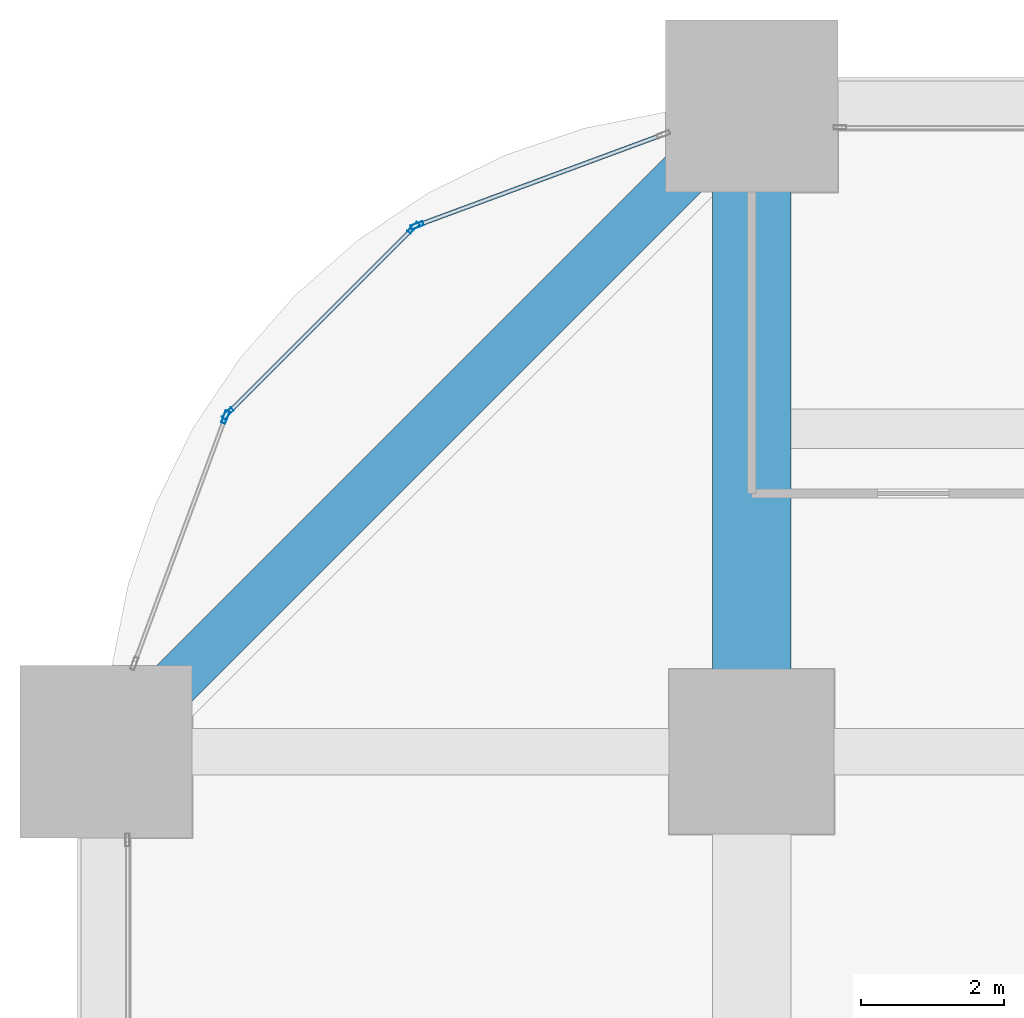
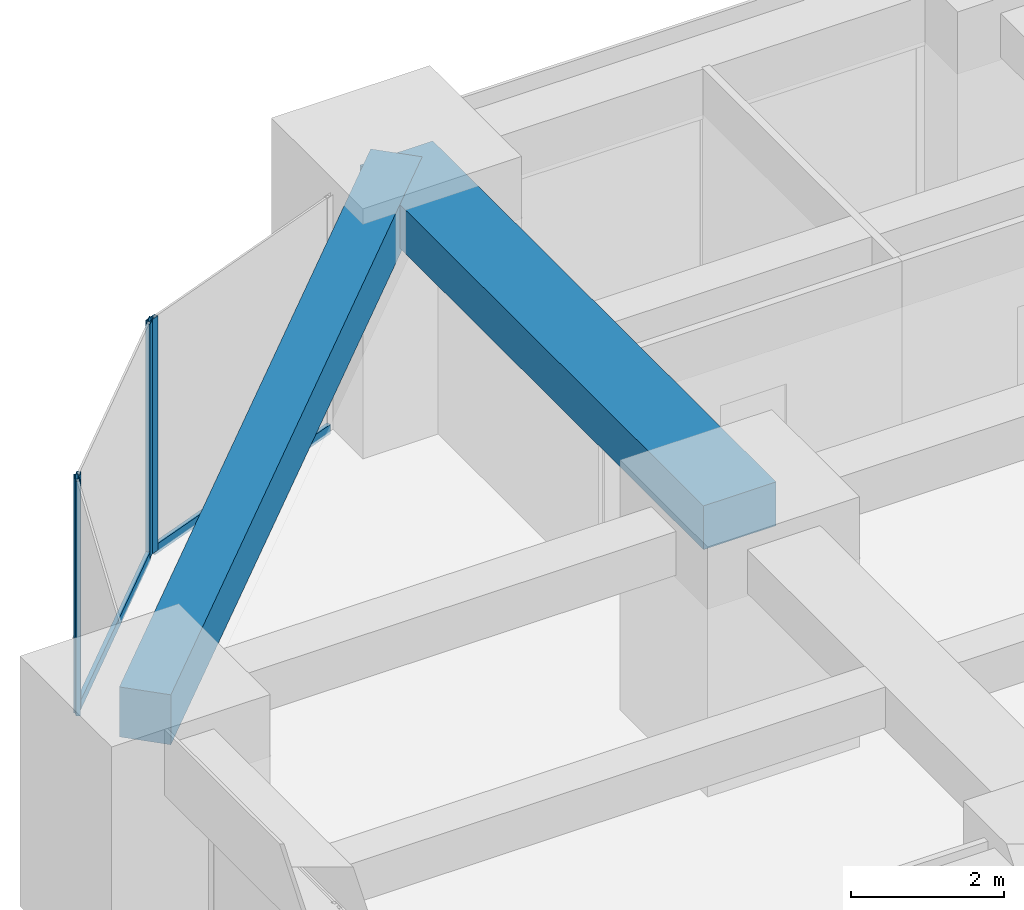
# One storey, part 27 of 45: 6 members, 2 beams, 3 elements without a shape of their own.
"""IFC4 building model written with IfcOpenShell, lengths in metres."""

from ifc_helpers import new_model, si_unit, direction, frame, origin, origin_2d, place, context, subcontext, project, spatial, rectangle, hollow_rectangle, extrude, material, material_profile, profile_set, type_object, element, aggregate, save


model = new_model("IFC4")

# Units and contexts
model_context = context("Model", 3, precision=1e-05, world=origin(), true_north=direction((0.0, 1.0)))
body_context = subcontext(model_context, "Body", "Model", "MODEL_VIEW")
ifc_project = project(units=[si_unit("LENGTHUNIT", "METRE"), si_unit("AREAUNIT", "SQUARE_METRE"), si_unit("VOLUMEUNIT", "CUBIC_METRE"), si_unit("PLANEANGLEUNIT", "RADIAN"), si_unit("MASSUNIT", "GRAM", prefix="KILO")], contexts=[model_context])

# Site, building, storey
site_placement = place(None, origin())
site = spatial("IfcSite", under=ifc_project, at=site_placement, CompositionType="ELEMENT")
building_placement = place(site_placement, origin())
building = spatial("IfcBuilding", under=site, at=building_placement, Name="Zorevar Civic Tower", CompositionType="ELEMENT")
storey_placement = place(building_placement, frame((0.0, 0.0, 39.800048828125)))
storey = spatial("IfcBuildingStorey", under=building, at=storey_placement, Name="L09", CompositionType="ELEMENT", Elevation=39.800048828125)

# Beam
ifc_material_1 = material(Name="Concrete C50/60", Category="concrete")
ifc_material_profile_1 = material_profile(ifc_material_1, rectangle(XDim=1.10009765625, YDim=0.699951171875, at=origin_2d()), Name="RC 1100x700")
ifc_profile_set_1 = profile_set([ifc_material_profile_1], Name="Concrete C50/60")
beam_type_1 = type_object("IfcBeamType", Name="Beam RC 1100x700", PredefinedType="BEAM", material=ifc_profile_set_1)
beam_1_placement = place(storey_placement, frame((9.0, 45.0, 3.39990234375), z_axis=(0.0, 1.0, 0.0), x_axis=(-1.0, 0.0, 0.0)))
element("IfcBeam", 1, at=beam_1_placement, inside=storey, type_object=beam_type_1, Name="Girder L10", PredefinedType="BEAM", context=body_context, shape_type="SweptSolid", body=[
    extrude(rectangle(XDim=1.10009765625, YDim=0.699951171875, at=origin_2d()), origin(), (0.0, 0.0, 1.0), 9.0),
])

# Curtain wall, member
ifc_material_2 = material(Name="Dark grey solar-control glass in black aluminium frame", Category="aluminium")
curtain_wall_type = type_object("IfcCurtainWallType", Name="Curtain wall CW2 low zone", PredefinedType="NOTDEFINED", material=ifc_material_2)
curtain_wall_1_placement = place(storey_placement, origin())
curtain_wall_1 = element("IfcCurtainWall", 2, at=curtain_wall_1_placement, inside=storey, type_object=curtain_wall_type, Name="CW2 L09", PredefinedType="NOTDEFINED")
ifc_material_3 = material(Name="Aluminium, black anodised", Category="aluminium")
ifc_material_profile_2 = material_profile(ifc_material_3, hollow_rectangle(XDim=0.06005859375, YDim=0.179931640625, WallThickness=0.00390625, at=origin_2d()), Name="AL 180x60x4")
ifc_profile_set_2 = profile_set([ifc_material_profile_2], Name="Aluminium, black anodised")
member_type_1 = type_object("IfcMemberType", Name="CW2 mullion AL 180x60x4", PredefinedType="MULLION", material=ifc_profile_set_2)
member_1_placement = place(storey_placement, frame((4.33544921875, 52.336181640625, 0.0), z_axis=(0.0, 0.0, 1.0), x_axis=(0.346704012033, -0.937974588163, 0.0)))
member_1 = element("IfcMember", 3, at=member_1_placement, type_object=member_type_1, Name="CW2 mullion 2", PredefinedType="MULLION", context=body_context, shape_type="SweptSolid", body=[
    extrude(hollow_rectangle(XDim=0.06005859375, YDim=0.179931640625, WallThickness=0.00390625, at=origin_2d()), origin(), (0.0, 0.0, 1.0), 3.75),
])

# Curtain wall, members
curtain_wall_2_placement = place(storey_placement, origin())
curtain_wall_2 = element("IfcCurtainWall", 4, at=curtain_wall_2_placement, inside=storey, type_object=curtain_wall_type, Name="CW2 L09", PredefinedType="NOTDEFINED")
member_2_placement = place(storey_placement, frame((4.2861328125, 52.3046875, 0.0), z_axis=(0.0, 0.0, 1.0), x_axis=(0.707106781187, -0.707106781187, 0.0)))
member_2 = element("IfcMember", 5, at=member_2_placement, type_object=member_type_1, Name="CW2 mullion 1", PredefinedType="MULLION", context=body_context, shape_type="SweptSolid", body=[
    extrude(hollow_rectangle(XDim=0.06005859375, YDim=0.179931640625, WallThickness=0.00390625, at=origin_2d()), origin(), (0.0, 0.0, 1.0), 3.75),
])
member_3_placement = place(storey_placement, frame((1.6953125, 49.7138671875, 0.0), z_axis=(0.0, 0.0, 1.0), x_axis=(0.707106781187, -0.707106781187, 0.0)))
member_3 = element("IfcMember", 6, at=member_3_placement, type_object=member_type_1, Name="CW2 mullion 2", PredefinedType="MULLION", context=body_context, shape_type="SweptSolid", body=[
    extrude(hollow_rectangle(XDim=0.06005859375, YDim=0.179931640625, WallThickness=0.00390625, at=origin_2d()), origin(), (0.0, 0.0, 1.0), 3.75),
])

# Curtain wall, member
curtain_wall_3_placement = place(storey_placement, origin())
curtain_wall_3 = element("IfcCurtainWall", 7, at=curtain_wall_3_placement, inside=storey, type_object=curtain_wall_type, Name="CW2 L09", PredefinedType="NOTDEFINED")
member_4_placement = place(storey_placement, frame((1.663818359375, 49.66455078125, 0.0), z_axis=(0.0, 0.0, 1.0), x_axis=(0.937974588163, -0.346704012033, 0.0)))
member_4 = element("IfcMember", 8, at=member_4_placement, type_object=member_type_1, Name="CW2 mullion 1", PredefinedType="MULLION", context=body_context, shape_type="SweptSolid", body=[
    extrude(hollow_rectangle(XDim=0.06005859375, YDim=0.179931640625, WallThickness=0.00390625, at=origin_2d()), origin(), (0.0, 0.0, 1.0), 3.75),
])
aggregate(curtain_wall_3, [member_4])

# Member
ifc_material_4 = material(Name="Aluminium, black anodised", Category="aluminium")
ifc_material_profile_3 = material_profile(ifc_material_4, hollow_rectangle(XDim=0.06005859375, YDim=0.14990234375, WallThickness=0.00390625, at=origin_2d()), Name="AL 150x60x4")
ifc_profile_set_3 = profile_set([ifc_material_profile_3], Name="Aluminium, black anodised")
member_type_2 = type_object("IfcMemberType", Name="CW2 transom AL 150x60x4", PredefinedType="USERDEFINED", material=ifc_profile_set_3)
member_5_placement = place(storey_placement, frame((7.74365234375, 53.595947265625, 0.030029296875), z_axis=(-0.93798635741, -0.346672169799, 0.0), x_axis=(0.346672169799, -0.93798635741, 0.0)))
member_5 = element("IfcMember", 9, at=member_5_placement, type_object=member_type_2, Name="CW2 sill transom", ObjectType="TRANSOM", PredefinedType="USERDEFINED", context=body_context, shape_type="SweptSolid", body=[
    extrude(hollow_rectangle(XDim=0.06005859375, YDim=0.14990234375, WallThickness=0.00390625, at=origin_2d()), origin(), (0.0, 0.0, 1.0), 3.603515625),
])

aggregate(curtain_wall_1, [member_1, member_5])

member_6_placement = place(storey_placement, frame((4.264892578125, 52.283447265625, 0.030029296875), z_axis=(-0.707106781187, -0.707106781187, 0.0), x_axis=(0.707106781187, -0.707106781187, 0.0)))
member_6 = element("IfcMember", 10, at=member_6_placement, type_object=member_type_2, Name="CW2 sill transom", ObjectType="TRANSOM", PredefinedType="USERDEFINED", context=body_context, shape_type="SweptSolid", body=[
    extrude(hollow_rectangle(XDim=0.06005859375, YDim=0.14990234375, WallThickness=0.00390625, at=origin_2d()), origin(), (0.0, 0.0, 1.0), 3.60400390625),
])

aggregate(curtain_wall_2, [member_2, member_3, member_6])

# Beam
ifc_material_5 = material(Name="Concrete C50/60", Category="concrete")
ifc_material_profile_4 = material_profile(ifc_material_5, rectangle(XDim=0.699951171875, YDim=0.800048828125, at=origin_2d()), Name="RC 700x800")
ifc_profile_set_4 = profile_set([ifc_material_profile_4], Name="Concrete C50/60")
beam_type_2 = type_object("IfcBeamType", Name="Edge beam RC 700x800", PredefinedType="SPANDREL", material=ifc_profile_set_4)
beam_2_placement = place(storey_placement, frame((9.0, 54.0, 3.349853515625), z_axis=(-0.707106781187, -0.707106781187, 0.0), x_axis=(0.707106781187, -0.707106781187, 0.0)))
element("IfcBeam", 11, at=beam_2_placement, inside=storey, type_object=beam_type_2, Name="Corner edge beam L10", PredefinedType="SPANDREL", context=body_context, shape_type="SweptSolid", body=[
    extrude(rectangle(XDim=0.699951171875, YDim=0.800048828125, at=origin_2d()), origin(), (0.0, 0.0, 1.0), 12.72802734375),
])

save(model, "model.ifc")
